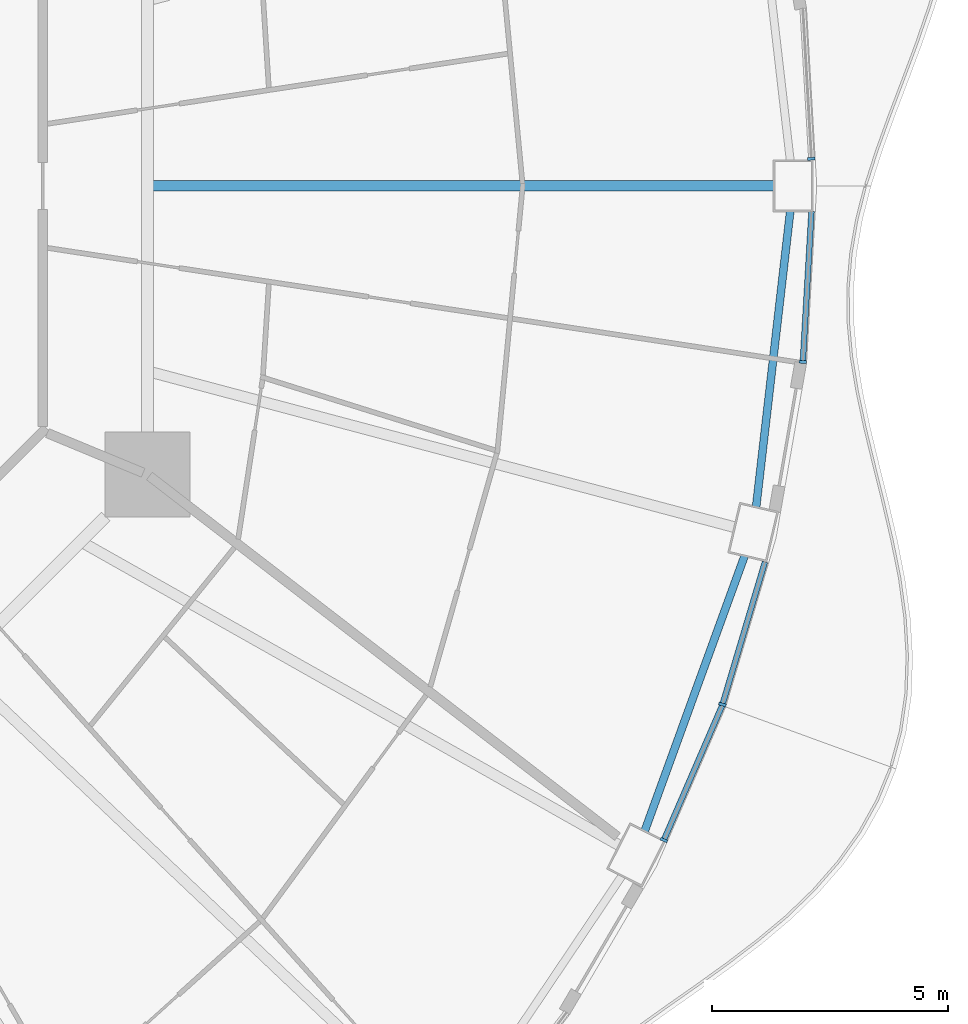
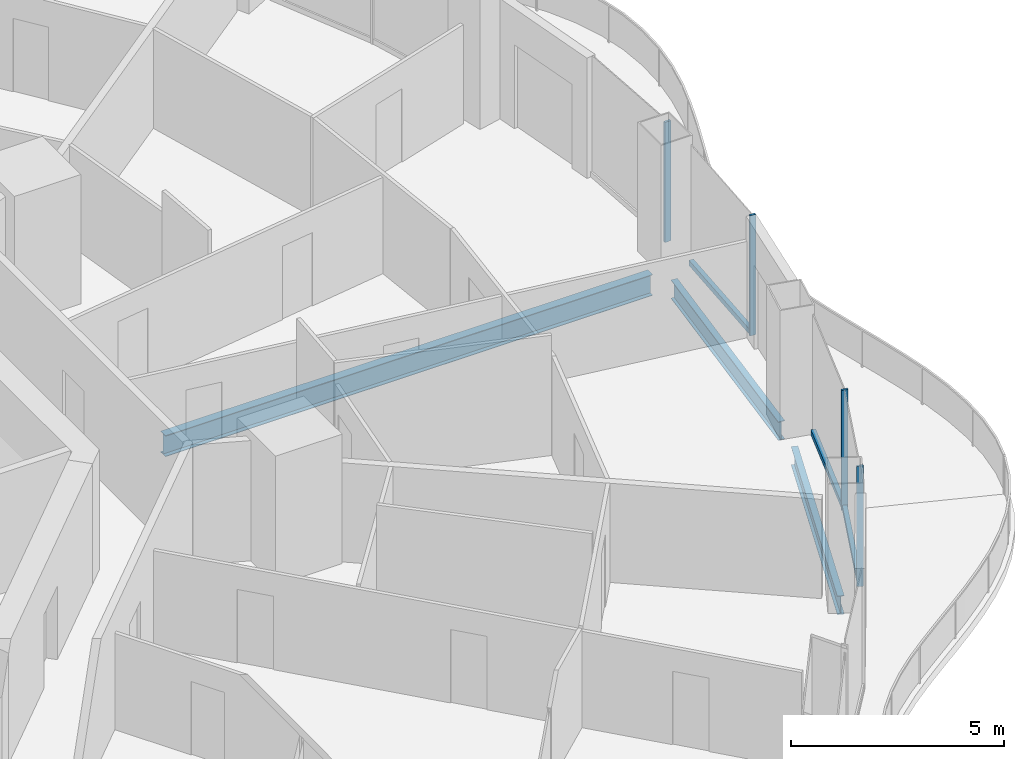
# One storey, part 5 of 19: 7 members, 3 beams, 4 elements without a shape of their own.
"""IFC4 building model written with IfcOpenShell, lengths in metres."""

from ifc_helpers import new_model, si_unit, direction, frame, origin, origin_2d, place, context, subcontext, project, spatial, rectangle, i_section, extrude, material, layer, layer_set, material_profile, profile_set, type_object, element, aggregate, save


model = new_model("IFC4")

# Units and contexts
model_context = context("Model", 3, precision=1e-05, world=origin(), true_north=direction((0.0, 1.0)))
body_context = subcontext(model_context, "Body", "Model", "MODEL_VIEW")
ifc_project = project(units=[si_unit("LENGTHUNIT", "METRE"), si_unit("AREAUNIT", "SQUARE_METRE"), si_unit("VOLUMEUNIT", "CUBIC_METRE"), si_unit("PLANEANGLEUNIT", "RADIAN"), si_unit("MASSUNIT", "GRAM", prefix="KILO")], contexts=[model_context])

# Site, building, storey
site_placement = place(None, origin())
site = spatial("IfcSite", under=ifc_project, at=site_placement, CompositionType="ELEMENT")
building_placement = place(site_placement, origin())
building = spatial("IfcBuilding", under=site, at=building_placement, Name="Nagisa Residences", CompositionType="ELEMENT")
storey_placement = place(building_placement, frame((0.0, 0.0, 191.800048828125)))
storey = spatial("IfcBuildingStorey", under=building, at=storey_placement, Name="L48", CompositionType="ELEMENT", Elevation=191.800048828125)

# Curtain wall, member
ifc_material_1 = material(Name="Concrete-coloured aluminium curtain wall system", Category="concrete")
ifc_layer = layer(ifc_material_1, 0.159912109375)
ifc_layer_set = layer_set([ifc_layer], Name="CW1 CURTAIN WALL")
curtain_wall_type = type_object("IfcCurtainWallType", Name="CW1 CURTAIN WALL", PredefinedType="NOTDEFINED", material=ifc_layer_set)
curtain_wall_1_placement = place(storey_placement, origin())
curtain_wall_1 = element("IfcCurtainWall", 1, at=curtain_wall_1_placement, inside=storey, type_object=curtain_wall_type, Name="cw:CW1:L48:00", PredefinedType="NOTDEFINED")
ifc_material_2 = material(Name="Concrete-coloured aluminium", Category="concrete")
ifc_material_profile_1 = material_profile(ifc_material_2, rectangle(XDim=0.159912109375, YDim=0.06005859375, at=origin_2d()), Name="CW1 MULLION 160x60")
ifc_profile_set_1 = profile_set([ifc_material_profile_1], Name="Concrete-coloured aluminium")
member_type_1 = type_object("IfcMemberType", Name="CW1 MULLION 160x60", PredefinedType="MULLION", material=ifc_profile_set_1)
member_1_placement = place(storey_placement, frame((28.86181640625, 0.574462890625, 0.0), z_axis=(0.0, 0.0, 1.0), x_axis=(-0.998345305184, -0.057503492216, 0.0)))
member_1 = element("IfcMember", 2, at=member_1_placement, type_object=member_type_1, Name="CW1 mullion", PredefinedType="MULLION", context=body_context, shape_type="SweptSolid", body=[
    extrude(rectangle(XDim=0.159912109375, YDim=0.06005859375, at=origin_2d()), origin(), (0.0, 0.0, 1.0), 3.43994140625),
])
aggregate(curtain_wall_1, [member_1])

curtain_wall_2_placement = place(storey_placement, origin())
curtain_wall_2 = element("IfcCurtainWall", 3, at=curtain_wall_2_placement, inside=storey, type_object=curtain_wall_type, Name="cw:CW1:L48:44", PredefinedType="NOTDEFINED")
member_2_placement = place(storey_placement, frame((25.732666015625, -13.87353515625, 0.0), z_axis=(0.0, 0.0, 1.0), x_axis=(-0.917543276295, 0.397635934147, 0.0)))
member_2 = element("IfcMember", 4, at=member_2_placement, type_object=member_type_1, Name="CW1 mullion", PredefinedType="MULLION", context=body_context, shape_type="SweptSolid", body=[
    extrude(rectangle(XDim=0.159912109375, YDim=0.06005859375, at=origin_2d()), origin(), (0.0, 0.0, 1.0), 3.43994140625),
])

curtain_wall_3_placement = place(storey_placement, origin())
curtain_wall_3 = element("IfcCurtainWall", 5, at=curtain_wall_3_placement, inside=storey, type_object=curtain_wall_type, Name="cw:CW1:L48:45", PredefinedType="NOTDEFINED")
member_3_placement = place(storey_placement, frame((26.975341796875, -10.998291015625, 0.0), z_axis=(0.0, 0.0, 1.0), x_axis=(-0.958271310082, 0.285860274038, 0.0)))
member_3 = element("IfcMember", 6, at=member_3_placement, type_object=member_type_1, Name="CW1 mullion", PredefinedType="MULLION", context=body_context, shape_type="SweptSolid", body=[
    extrude(rectangle(XDim=0.159912109375, YDim=0.06005859375, at=origin_2d()), origin(), (0.0, 0.0, 1.0), 3.43994140625),
])

curtain_wall_4_placement = place(storey_placement, origin())
curtain_wall_4 = element("IfcCurtainWall", 7, at=curtain_wall_4_placement, inside=storey, type_object=curtain_wall_type, Name="cw:CW1:L48:47", PredefinedType="NOTDEFINED")
member_4_placement = place(storey_placement, frame((28.6796875, -3.734375, 0.0), z_axis=(0.0, 0.0, 1.0), x_axis=(-0.998345305184, 0.057503492216, 0.0)))
member_4 = element("IfcMember", 8, at=member_4_placement, type_object=member_type_1, Name="CW1 mullion", PredefinedType="MULLION", context=body_context, shape_type="SweptSolid", body=[
    extrude(rectangle(XDim=0.159912109375, YDim=0.06005859375, at=origin_2d()), origin(), (0.0, 0.0, 1.0), 3.43994140625),
])

# Member
ifc_material_3 = material(Name="Concrete-coloured aluminium", Category="concrete")
ifc_material_profile_2 = material_profile(ifc_material_3, rectangle(XDim=0.1201171875, YDim=0.14990234375, at=origin_2d()), Name="CW1 TRANSOM 120x150")
ifc_profile_set_2 = profile_set([ifc_material_profile_2], Name="Concrete-coloured aluminium")
member_type_2 = type_object("IfcMemberType", Name="CW1 TRANSOM 120x150", PredefinedType="USERDEFINED", material=ifc_profile_set_2)
member_5_placement = place(storey_placement, frame((25.720703125, -13.901123046875, 0.074951171875), z_axis=(0.397592173732, 0.917562239517, 0.0), x_axis=(-0.917562239517, 0.397592173732, 0.0)))
member_5 = element("IfcMember", 9, at=member_5_placement, type_object=member_type_2, Name="CW1 transom", ObjectType="TRANSOM", PredefinedType="USERDEFINED", context=body_context, shape_type="SweptSolid", body=[
    extrude(rectangle(XDim=0.1201171875, YDim=0.14990234375, at=origin_2d()), origin(), (0.0, 0.0, 1.0), 3.14208984375),
])

aggregate(curtain_wall_2, [member_2, member_5])

member_6_placement = place(storey_placement, frame((26.966796875, -11.027099609375, 0.074951171875), z_axis=(0.28584838049, 0.958274857946, 0.0), x_axis=(-0.958274857946, 0.28584838049, 0.0)))
member_6 = element("IfcMember", 10, at=member_6_placement, type_object=member_type_2, Name="CW1 transom", ObjectType="TRANSOM", PredefinedType="USERDEFINED", context=body_context, shape_type="SweptSolid", body=[
    extrude(rectangle(XDim=0.1201171875, YDim=0.14990234375, at=origin_2d()), origin(), (0.0, 0.0, 1.0), 3.182373046875),
])

aggregate(curtain_wall_3, [member_3, member_6])

member_7_placement = place(storey_placement, frame((28.677978515625, -3.764404296875, 0.074951171875), z_axis=(0.057528345118, 0.998343873376, 0.0), x_axis=(-0.998343873376, 0.057528345118, 0.0)))
member_7 = element("IfcMember", 11, at=member_7_placement, type_object=member_type_2, Name="CW1 transom", ObjectType="TRANSOM", PredefinedType="USERDEFINED", context=body_context, shape_type="SweptSolid", body=[
    extrude(rectangle(XDim=0.1201171875, YDim=0.14990234375, at=origin_2d()), origin(), (0.0, 0.0, 1.0), 3.225341796875),
])

aggregate(curtain_wall_4, [member_4, member_7])

# Beams
ifc_material_4 = material(Name="Steel ASTM A572 Gr 50", Category="steel")
ifc_material_profile_3 = material_profile(ifc_material_4, i_section(OverallWidth=0.166015625, OverallDepth=0.534912109375, WebThickness=0.01025390625, FlangeThickness=0.0166015625, at=origin_2d()), Name="W530x85")
ifc_profile_set_3 = profile_set([ifc_material_profile_3], Name="Steel ASTM A572 Gr 50")
beam_type_1 = type_object("IfcBeamType", Name="Perimeter ring beam W530x85", PredefinedType="BEAM", material=ifc_profile_set_3)
beam_1_placement = place(storey_placement, frame((25.32470703125, -13.685546875, -0.527587890625), z_axis=(0.341320243926, 0.939947068237, 0.0), x_axis=(-0.939947068237, 0.341320243926, 0.0)))
element("IfcBeam", 12, at=beam_1_placement, inside=storey, type_object=beam_type_1, Name="beam:L48:pb23", PredefinedType="BEAM", context=body_context, shape_type="SweptSolid", body=[
    extrude(i_section(OverallWidth=0.166015625, OverallDepth=0.534912109375, WebThickness=0.01025390625, FlangeThickness=0.0166015625, at=origin_2d()), origin(), (0.0, 0.0, 1.0), 6.212890625),
])
beam_2_placement = place(storey_placement, frame((27.688720703125, -6.813720703125, -0.527587890625), z_axis=(0.11463289794, 0.993407921606, 0.0), x_axis=(-0.993407921606, 0.11463289794, 0.0)))
element("IfcBeam", 13, at=beam_2_placement, inside=storey, type_object=beam_type_1, Name="beam:L48:pb24", PredefinedType="BEAM", context=body_context, shape_type="SweptSolid", body=[
    extrude(i_section(OverallWidth=0.166015625, OverallDepth=0.534912109375, WebThickness=0.01025390625, FlangeThickness=0.0166015625, at=origin_2d()), origin(), (0.0, 0.0, 1.0), 6.325439453125),
])
ifc_material_5 = material(Name="Steel ASTM A572 Gr 50", Category="steel")
ifc_material_profile_4 = material_profile(ifc_material_5, i_section(OverallWidth=0.22802734375, OverallDepth=0.60302734375, WebThickness=0.010498046875, FlangeThickness=0.014892578125, at=origin_2d()), Name="W610x101")
ifc_profile_set_4 = profile_set([ifc_material_profile_4], Name="Steel ASTM A572 Gr 50")
beam_type_2 = type_object("IfcBeamType", Name="Radial beam W610x101", PredefinedType="BEAM", material=ifc_profile_set_4)
beam_3_placement = place(storey_placement, frame((28.070068359375, 0.0, -0.5615234375), z_axis=(-1.0, 0.0, 0.0), x_axis=(0.0, -1.0, 0.0)))
element("IfcBeam", 14, at=beam_3_placement, inside=storey, type_object=beam_type_2, Name="beam:L48:rb01", PredefinedType="BEAM", context=body_context, shape_type="SweptSolid", body=[
    extrude(i_section(OverallWidth=0.22802734375, OverallDepth=0.60302734375, WebThickness=0.010498046875, FlangeThickness=0.014892578125, at=origin_2d()), origin(), (0.0, 0.0, 1.0), 13.180908203125),
])

save(model, "model.ifc")
